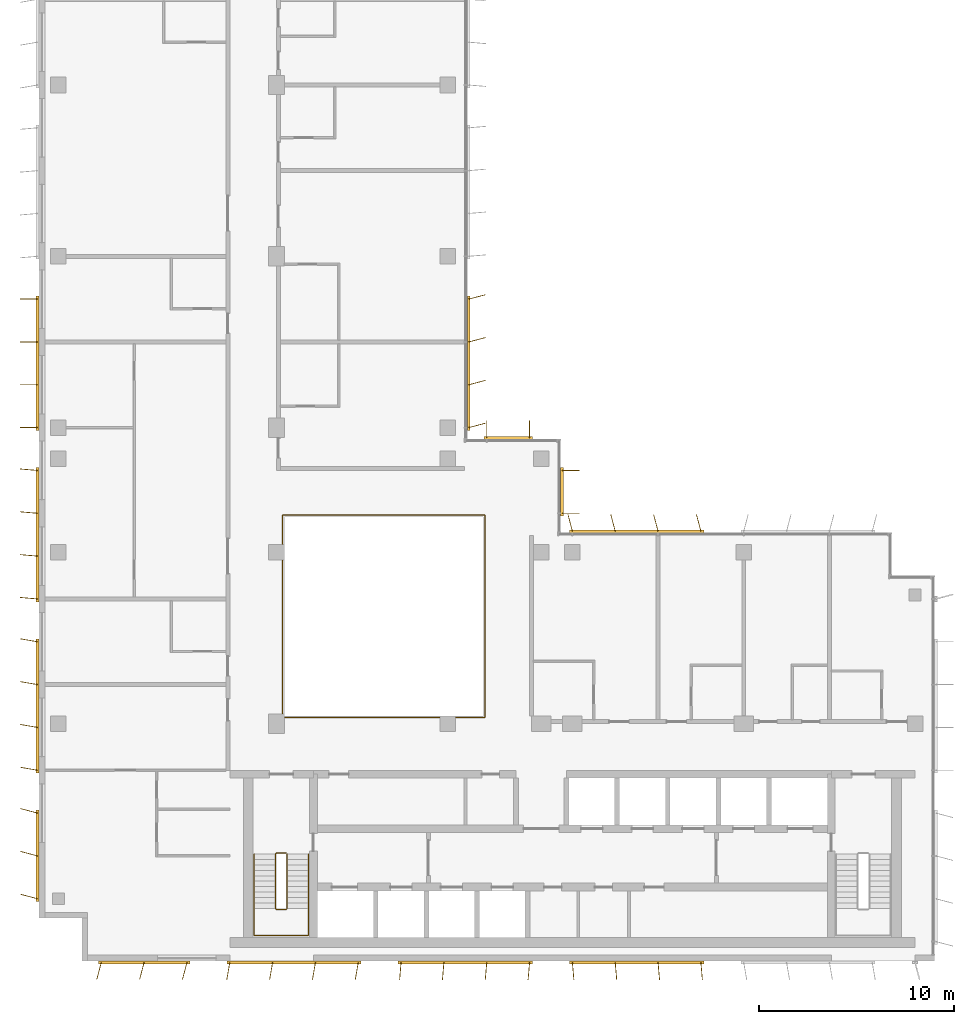
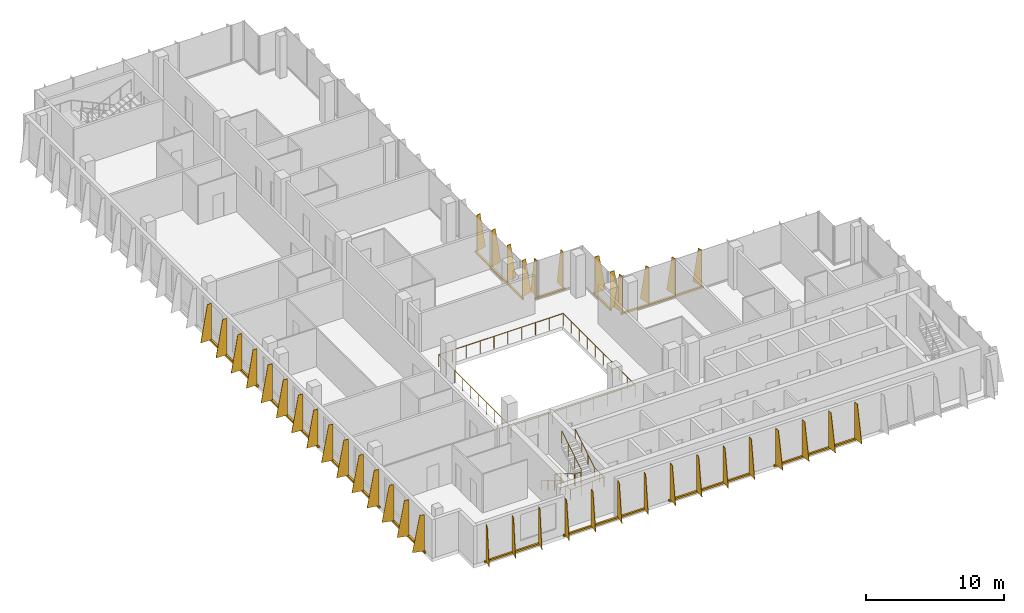
# One storey, part 13 of 15: 12 shading devices, 3 railings.
"""IFC4 building model written with IfcOpenShell, lengths in metres."""

from ifc_helpers import new_model, si_unit, direction, frame, origin, origin_2d, place, context, subcontext, project, spatial, polyline, rectangle, circle, outline, extrude, source, transform, mapped, material, layer, layer_set, type_object, element, save


model = new_model("IFC4")

# Units and contexts
model_context = context("Model", 3, precision=1e-05, world=origin(), true_north=direction((0.0, 1.0)))
body_context = subcontext(model_context, "Body", "Model", "MODEL_VIEW")
ifc_project = project(units=[si_unit("LENGTHUNIT", "METRE"), si_unit("AREAUNIT", "SQUARE_METRE"), si_unit("VOLUMEUNIT", "CUBIC_METRE"), si_unit("PLANEANGLEUNIT", "RADIAN"), si_unit("MASSUNIT", "GRAM", prefix="KILO")], contexts=[model_context])

# Site, building, storey
site_placement = place(None, origin())
site = spatial("IfcSite", under=ifc_project, at=site_placement, CompositionType="ELEMENT")
building_placement = place(site_placement, origin())
building = spatial("IfcBuilding", under=site, at=building_placement, Name="Kemantara Hotel Tower", CompositionType="ELEMENT")
storey_placement = place(building_placement, frame((0.0, 0.0, 275.89990234375)))
storey = spatial("IfcBuildingStorey", under=building, at=storey_placement, Name="L69", CompositionType="ELEMENT", Elevation=275.89990234375)

# Railings
ifc_material_1 = material(Name="Stainless steel and laminated glass balustrade", Category="steel")
railing_type_1 = type_object("IfcRailingType", Name="ATRIUM GUARD 1100", PredefinedType="GUARDRAIL", material=ifc_material_1)
railing_1_placement = place(storey_placement, frame((12.56005859375, 12.5, 0.0)))
element("IfcRailing", 1, at=railing_1_placement, inside=storey, type_object=railing_type_1, Name="ATRIUM GUARD L69", PredefinedType="GUARDRAIL", context=body_context, shape_type="SweptSolid", body=[
    extrude(circle(Radius=0.02490234375, at=origin_2d()), frame((0.0, 0.0, 1.0751953125), z_axis=(1.0, 0.0, 0.0), x_axis=(0.0, 1.0, 0.0)), (0.0, 0.0, 1.0), 10.33984375),
    extrude(circle(Radius=0.02490234375, at=origin_2d()), frame((10.33984375, 0.0, 1.0751953125), z_axis=(0.0, 1.0, 0.0), x_axis=(-1.0, 0.0, 0.0)), (0.0, 0.0, 1.0), 10.39990234375),
    extrude(circle(Radius=0.02490234375, at=origin_2d()), frame((10.33984375, 10.39990234375, 1.0751953125), z_axis=(-1.0, 0.0, 0.0), x_axis=(0.0, -1.0, 0.0)), (0.0, 0.0, 1.0), 10.39990234375),
    extrude(circle(Radius=0.02490234375, at=origin_2d()), frame((-0.06005859375, 10.39990234375, 1.0751953125), z_axis=(0.0, -1.0, 0.0), x_axis=(1.0, 0.0, 0.0)), (0.0, 0.0, 1.0), 10.39990234375),
    extrude(circle(Radius=0.02001953125, at=origin_2d()), origin(), (0.0, 0.0, 1.0), 1.050048828125),
    extrude(circle(Radius=0.02001953125, at=origin_2d()), frame((1.14892578125, 0.0, 0.0)), (0.0, 0.0, 1.0), 1.050048828125),
    extrude(circle(Radius=0.02001953125, at=origin_2d()), frame((2.2978515625, 0.0, 0.0)), (0.0, 0.0, 1.0), 1.050048828125),
    extrude(circle(Radius=0.02001953125, at=origin_2d()), frame((3.446533203125, 0.0, 0.0)), (0.0, 0.0, 1.0), 1.050048828125),
    extrude(circle(Radius=0.02001953125, at=origin_2d()), frame((4.595458984375, 0.0, 0.0)), (0.0, 0.0, 1.0), 1.050048828125),
    extrude(circle(Radius=0.02001953125, at=origin_2d()), frame((5.744384765625, 0.0, 0.0)), (0.0, 0.0, 1.0), 1.050048828125),
    extrude(circle(Radius=0.02001953125, at=origin_2d()), frame((6.893310546875, 0.0, 0.0)), (0.0, 0.0, 1.0), 1.050048828125),
    extrude(circle(Radius=0.02001953125, at=origin_2d()), frame((8.0419921875, 0.0, 0.0)), (0.0, 0.0, 1.0), 1.050048828125),
    extrude(circle(Radius=0.02001953125, at=origin_2d()), frame((9.19091796875, 0.0, 0.0)), (0.0, 0.0, 1.0), 1.050048828125),
    extrude(circle(Radius=0.02001953125, at=origin_2d()), frame((10.33984375, 0.0, 0.0)), (0.0, 0.0, 1.0), 1.050048828125),
    extrude(circle(Radius=0.02001953125, at=origin_2d()), frame((10.33984375, 1.155517578125, 0.0)), (0.0, 0.0, 1.0), 1.050048828125),
    extrude(circle(Radius=0.02001953125, at=origin_2d()), frame((10.33984375, 2.31103515625, 0.0)), (0.0, 0.0, 1.0), 1.050048828125),
    extrude(circle(Radius=0.02001953125, at=origin_2d()), frame((10.33984375, 3.466552734375, 0.0)), (0.0, 0.0, 1.0), 1.050048828125),
    extrude(circle(Radius=0.02001953125, at=origin_2d()), frame((10.33984375, 4.6220703125, 0.0)), (0.0, 0.0, 1.0), 1.050048828125),
    extrude(circle(Radius=0.02001953125, at=origin_2d()), frame((10.33984375, 5.77783203125, 0.0)), (0.0, 0.0, 1.0), 1.050048828125),
    extrude(circle(Radius=0.02001953125, at=origin_2d()), frame((10.33984375, 6.933349609375, 0.0)), (0.0, 0.0, 1.0), 1.050048828125),
    extrude(circle(Radius=0.02001953125, at=origin_2d()), frame((10.33984375, 8.0888671875, 0.0)), (0.0, 0.0, 1.0), 1.050048828125),
    extrude(circle(Radius=0.02001953125, at=origin_2d()), frame((10.33984375, 9.244384765625, 0.0)), (0.0, 0.0, 1.0), 1.050048828125),
    extrude(circle(Radius=0.02001953125, at=origin_2d()), frame((10.33984375, 10.39990234375, 0.0)), (0.0, 0.0, 1.0), 1.050048828125),
    extrude(circle(Radius=0.02001953125, at=origin_2d()), frame((9.184326171875, 10.39990234375, 0.0)), (0.0, 0.0, 1.0), 1.050048828125),
    extrude(circle(Radius=0.02001953125, at=origin_2d()), frame((8.02880859375, 10.39990234375, 0.0)), (0.0, 0.0, 1.0), 1.050048828125),
    extrude(circle(Radius=0.02001953125, at=origin_2d()), frame((6.873291015625, 10.39990234375, 0.0)), (0.0, 0.0, 1.0), 1.050048828125),
    extrude(circle(Radius=0.02001953125, at=origin_2d()), frame((5.7177734375, 10.39990234375, 0.0)), (0.0, 0.0, 1.0), 1.050048828125),
    extrude(circle(Radius=0.02001953125, at=origin_2d()), frame((4.56201171875, 10.39990234375, 0.0)), (0.0, 0.0, 1.0), 1.050048828125),
    extrude(circle(Radius=0.02001953125, at=origin_2d()), frame((3.406494140625, 10.39990234375, 0.0)), (0.0, 0.0, 1.0), 1.050048828125),
    extrude(circle(Radius=0.02001953125, at=origin_2d()), frame((2.2509765625, 10.39990234375, 0.0)), (0.0, 0.0, 1.0), 1.050048828125),
    extrude(circle(Radius=0.02001953125, at=origin_2d()), frame((1.095458984375, 10.39990234375, 0.0)), (0.0, 0.0, 1.0), 1.050048828125),
    extrude(circle(Radius=0.02001953125, at=origin_2d()), frame((-0.06005859375, 10.39990234375, 0.0)), (0.0, 0.0, 1.0), 1.050048828125),
    extrude(circle(Radius=0.02001953125, at=origin_2d()), frame((-0.06005859375, 9.244384765625, 0.0)), (0.0, 0.0, 1.0), 1.050048828125),
    extrude(circle(Radius=0.02001953125, at=origin_2d()), frame((-0.06005859375, 8.0888671875, 0.0)), (0.0, 0.0, 1.0), 1.050048828125),
    extrude(circle(Radius=0.02001953125, at=origin_2d()), frame((-0.06005859375, 6.933349609375, 0.0)), (0.0, 0.0, 1.0), 1.050048828125),
    extrude(circle(Radius=0.02001953125, at=origin_2d()), frame((-0.06005859375, 5.77783203125, 0.0)), (0.0, 0.0, 1.0), 1.050048828125),
    extrude(circle(Radius=0.02001953125, at=origin_2d()), frame((-0.06005859375, 4.6220703125, 0.0)), (0.0, 0.0, 1.0), 1.050048828125),
    extrude(circle(Radius=0.02001953125, at=origin_2d()), frame((-0.06005859375, 3.466552734375, 0.0)), (0.0, 0.0, 1.0), 1.050048828125),
    extrude(circle(Radius=0.02001953125, at=origin_2d()), frame((-0.06005859375, 2.31103515625, 0.0)), (0.0, 0.0, 1.0), 1.050048828125),
    extrude(circle(Radius=0.02001953125, at=origin_2d()), frame((-0.06005859375, 1.155517578125, 0.0)), (0.0, 0.0, 1.0), 1.050048828125),
    extrude(circle(Radius=0.02001953125, at=origin_2d()), frame((-0.06005859375, 0.0, 0.0)), (0.0, 0.0, 1.0), 1.050048828125),
])
ifc_material_2 = material(Name="Stainless steel balustrade", Category="steel")
railing_type_2 = type_object("IfcRailingType", Name="Stair guard 1100 mm", PredefinedType="GUARDRAIL", material=ifc_material_2)
railing_2_placement = place(storey_placement, frame((12.75, 5.5, 3.7001953125)))
element("IfcRailing", 2, at=railing_2_placement, inside=storey, type_object=railing_type_2, Name="L69 ST1 stair guard 1", PredefinedType="GUARDRAIL", context=body_context, shape_type="SweptSolid", body=[
    extrude(circle(Radius=0.02392578125, at=origin_2d()), frame((0.0, 0.0, 1.076171875), z_axis=(0.0, -0.857242210791, -0.514913383045), x_axis=(1.0, 0.0, 0.0)), (0.0, 0.0, 1.0), 3.266357421875),
    extrude(circle(Radius=0.02392578125, at=origin_2d()), frame((0.0, -2.800048828125, -0.60595703125), z_axis=(-0.274243871929, -0.274243871929, -0.92172696468), x_axis=(0.707106781187, -0.707106781187, 0.0)), (0.0, 0.0, 1.0), 0.1826171875),
    extrude(circle(Radius=0.02392578125, at=origin_2d()), frame((-0.050048828125, -2.85009765625, -0.77392578125), z_axis=(-1.0, 0.0, 0.0), x_axis=(0.0, -1.0, 0.0)), (0.0, 0.0, 1.0), 0.5),
    extrude(circle(Radius=0.02392578125, at=origin_2d()), frame((-0.550048828125, -2.85009765625, -0.77392578125), z_axis=(-0.707106781187, 0.707106781187, 0.0), x_axis=(-0.707106781187, -0.707106781187, 0.0)), (0.0, 0.0, 1.0), 0.07080078125),
    extrude(circle(Radius=0.02392578125, at=origin_2d()), frame((-0.60009765625, -2.800048828125, -0.77392578125), z_axis=(0.0, 0.857242210791, -0.514913383045), x_axis=(-1.0, 0.0, 0.0)), (0.0, 0.0, 1.0), 3.266357421875),
    extrude(circle(Radius=0.02392578125, at=origin_2d()), frame((-0.60009765625, 0.0, -2.4560546875), z_axis=(0.274243871929, 0.274243871929, -0.92172696468), x_axis=(-0.707106781187, 0.707106781187, 0.0)), (0.0, 0.0, 1.0), 0.1826171875),
    extrude(circle(Radius=0.02392578125, at=origin_2d()), frame((-0.550048828125, 0.050048828125, -2.6240234375), z_axis=(1.0, 0.0, 0.0), x_axis=(0.0, 1.0, 0.0)), (0.0, 0.0, 1.0), 0.5),
    extrude(circle(Radius=0.02099609375, at=origin_2d()), origin(), (0.0, 0.0, 1.0), 1.052001953125),
    extrude(circle(Radius=0.02099609375, at=origin_2d()), frame((0.0, -0.933349609375, -0.560546875)), (0.0, 0.0, 1.0), 1.052001953125),
    extrude(circle(Radius=0.02099609375, at=origin_2d()), frame((0.0, -1.86669921875, -1.121337890625)), (0.0, 0.0, 1.0), 1.052001953125),
    extrude(circle(Radius=0.02099609375, at=origin_2d()), frame((0.0, -2.800048828125, -1.681884765625)), (0.0, 0.0, 1.0), 1.052001953125),
    extrude(circle(Radius=0.02099609375, at=origin_2d()), frame((-0.050048828125, -2.85009765625, -1.85009765625)), (0.0, 0.0, 1.0), 1.052001953125),
    extrude(circle(Radius=0.02099609375, at=origin_2d()), frame((-0.550048828125, -2.85009765625, -1.85009765625)), (0.0, 0.0, 1.0), 1.052001953125),
    extrude(circle(Radius=0.02099609375, at=origin_2d()), frame((-0.60009765625, -2.800048828125, -1.85009765625)), (0.0, 0.0, 1.0), 1.052001953125),
    extrude(circle(Radius=0.02099609375, at=origin_2d()), frame((-0.60009765625, -1.86669921875, -2.41064453125)), (0.0, 0.0, 1.0), 1.052001953125),
    extrude(circle(Radius=0.02099609375, at=origin_2d()), frame((-0.60009765625, -0.933349609375, -2.971435546875)), (0.0, 0.0, 1.0), 1.052001953125),
    extrude(circle(Radius=0.02099609375, at=origin_2d()), frame((-0.60009765625, 0.0, -3.531982421875)), (0.0, 0.0, 1.0), 1.052001953125),
    extrude(circle(Radius=0.02099609375, at=origin_2d()), frame((-0.550048828125, 0.050048828125, -3.7001953125)), (0.0, 0.0, 1.0), 1.052001953125),
    extrude(circle(Radius=0.02099609375, at=origin_2d()), frame((-0.050048828125, 0.050048828125, -3.7001953125)), (0.0, 0.0, 1.0), 1.052001953125),
])
railing_type_3 = type_object("IfcRailingType", Name="Stair handrail 900 mm", PredefinedType="HANDRAIL", material=ifc_material_2)
railing_3_placement = place(storey_placement, frame((11.050048828125, 5.5, 0.168212890625)))
element("IfcRailing", 3, at=railing_3_placement, inside=storey, type_object=railing_type_3, Name="L69 ST1 stair handrail 1", PredefinedType="HANDRAIL", context=body_context, shape_type="SweptSolid", body=[
    extrude(circle(Radius=0.02392578125, at=origin_2d()), frame((0.0, 0.0, 0.8759765625), z_axis=(0.0, -0.857242210791, 0.514913383045), x_axis=(1.0, 0.0, 0.0)), (0.0, 0.0, 1.0), 3.266357421875),
    extrude(circle(Radius=0.02392578125, at=origin_2d()), frame((0.0, -2.800048828125, 2.5576171875), z_axis=(0.0, -1.0, 0.0), x_axis=(1.0, 0.0, 0.0)), (0.0, 0.0, 1.0), 1.3798828125),
    extrude(circle(Radius=0.02392578125, at=origin_2d()), frame((0.0, -4.179931640625, 2.5576171875), z_axis=(0.998200367801, 0.0, 0.059966871865), x_axis=(0.0, 1.0, 0.0)), (0.0, 0.0, 1.0), 2.80517578125),
    extrude(circle(Radius=0.02392578125, at=origin_2d()), frame((2.800048828125, -4.179931640625, 2.72607421875), z_axis=(0.0, 1.0, 0.0), x_axis=(-1.0, 0.0, 0.0)), (0.0, 0.0, 1.0), 1.3798828125),
    extrude(circle(Radius=0.02392578125, at=origin_2d()), frame((2.800048828125, -2.800048828125, 2.72607421875), z_axis=(0.0, 0.857242210791, 0.514913383045), x_axis=(-1.0, 0.0, 0.0)), (0.0, 0.0, 1.0), 3.266357421875),
    extrude(circle(Radius=0.02099609375, at=origin_2d()), origin(), (0.0, 0.0, 1.0), 0.851806640625),
    extrude(circle(Radius=0.02099609375, at=origin_2d()), frame((0.0, -0.933349609375, 0.560546875)), (0.0, 0.0, 1.0), 0.851806640625),
    extrude(circle(Radius=0.02099609375, at=origin_2d()), frame((0.0, -1.86669921875, 1.121337890625)), (0.0, 0.0, 1.0), 0.851806640625),
    extrude(circle(Radius=0.02099609375, at=origin_2d()), frame((0.0, -2.800048828125, 1.681884765625)), (0.0, 0.0, 1.0), 0.851806640625),
    extrude(circle(Radius=0.02099609375, at=origin_2d()), frame((0.0, -3.489990234375, 1.681884765625)), (0.0, 0.0, 1.0), 0.851806640625),
    extrude(circle(Radius=0.02099609375, at=origin_2d()), frame((0.0, -4.179931640625, 1.681884765625)), (0.0, 0.0, 1.0), 0.851806640625),
    extrude(circle(Radius=0.02099609375, at=origin_2d()), frame((0.933349609375, -4.179931640625, 1.738037109375)), (0.0, 0.0, 1.0), 0.851806640625),
    extrude(circle(Radius=0.02099609375, at=origin_2d()), frame((1.86669921875, -4.179931640625, 1.7939453125)), (0.0, 0.0, 1.0), 0.851806640625),
    extrude(circle(Radius=0.02099609375, at=origin_2d()), frame((2.800048828125, -4.179931640625, 1.85009765625)), (0.0, 0.0, 1.0), 0.851806640625),
    extrude(circle(Radius=0.02099609375, at=origin_2d()), frame((2.800048828125, -3.489990234375, 1.85009765625)), (0.0, 0.0, 1.0), 0.851806640625),
    extrude(circle(Radius=0.02099609375, at=origin_2d()), frame((2.800048828125, -2.800048828125, 1.85009765625)), (0.0, 0.0, 1.0), 0.851806640625),
    extrude(circle(Radius=0.02099609375, at=origin_2d()), frame((2.800048828125, -1.86669921875, 2.41064453125)), (0.0, 0.0, 1.0), 0.851806640625),
    extrude(circle(Radius=0.02099609375, at=origin_2d()), frame((2.800048828125, -0.933349609375, 2.971435546875)), (0.0, 0.0, 1.0), 0.851806640625),
    extrude(circle(Radius=0.02099609375, at=origin_2d()), frame((2.800048828125, 0.0, 3.531982421875)), (0.0, 0.0, 1.0), 0.851806640625),
])

# Shading devices
ifc_material_3 = material(Name="Perforated aluminium plate 4 mm bronze anodised", Category="aluminium")
ifc_layer_1 = layer(ifc_material_3, 0.0400390625)
ifc_layer_set_1 = layer_set([ifc_layer_1], Name="Perforated aluminium plate 4 mm bronze anodised")
shading_device_type_1 = type_object("IfcShadingDeviceType", Name="SCREEN FIN CASSETTE, 3 BLADES AT -15.0 DEG, 3200 HIGH", PredefinedType="USERDEFINED", material=ifc_layer_set_1)
shared_shape_1 = source(origin(), body_context, "Body", "SweptSolid", [
    extrude(rectangle(XDim=4.699951171875, YDim=0.14990234375, at=origin_2d()), frame((2.199951171875, -0.074951171875, -0.14990234375), z_axis=(0.0, 0.0, 1.0), x_axis=(1.0, 0.0, 0.0)), (0.0, 0.0, 1.0), 0.14990234375),
    extrude(outline(polyline([(0.0, 0.0), (0.89990234375, 0.0), (0.35009765625, 3.199951171875), (0.0, 3.199951171875), (0.0, 0.0)])), frame((0.019287109375, -0.080078125, 0.0), z_axis=(-0.966437683387, 0.256901156343, 0.0), x_axis=(-0.256901156343, -0.966437683387, 0.0)), (0.0, 0.0, 1.0), 0.039794921875),
    extrude(outline(polyline([(0.0, 0.0), (0.89990234375, 0.0), (0.35009765625, 3.199951171875), (0.0, 3.199951171875), (0.0, 0.0)])), frame((2.21923828125, -0.080078125, 0.0), z_axis=(-0.966437683387, 0.256901156343, 0.0), x_axis=(-0.256901156343, -0.966437683387, 0.0)), (0.0, 0.0, 1.0), 0.039794921875),
    extrude(outline(polyline([(0.0, 0.0), (0.89990234375, 0.0), (0.35009765625, 3.199951171875), (0.0, 3.199951171875), (0.0, 0.0)])), frame((4.41943359375, -0.080078125, 0.0), z_axis=(-0.966837822169, 0.255391122837, 0.0), x_axis=(-0.255391122837, -0.966837822169, 0.0)), (0.0, 0.0, 1.0), 0.0400390625),
])
for number, where, z_axis, x_axis, name in (
    (4, (0.0, 7.60009765625, 0.10009765625), (0.0, 0.0, 1.0), (0.0, -1.0, 0.0), "SCREEN FIN CASSETTE L69 T4-R05-7"),
    (5, (3.199951171875, 0.0, 0.10009765625), (0.0, 0.0, 1.0), (1.0, 0.0, 0.0), "SCREEN FIN CASSETTE L69 T4-R08-1"),
):
    element("IfcShadingDevice", number, at=place(storey_placement, frame(where, z_axis=z_axis, x_axis=x_axis)), inside=storey, type_object=shading_device_type_1, Name=name, ObjectType="SCREEN FIN", PredefinedType="USERDEFINED", context=body_context, shape_type="MappedRepresentation", body=[
        mapped(shared_shape_1, transform((0.0, 0.0, 0.0))),
    ])
ifc_layer_2 = layer(ifc_material_3, 0.0400390625)
ifc_layer_set_2 = layer_set([ifc_layer_2], Name="Perforated aluminium plate 4 mm bronze anodised")
shading_device_type_2 = type_object("IfcShadingDeviceType", Name="SCREEN FIN CASSETTE, 4 BLADES AT -10.0 DEG, 3200 HIGH", PredefinedType="USERDEFINED", material=ifc_layer_set_2)
shared_shape_2 = source(origin(), body_context, "Body", "SweptSolid", [
    extrude(rectangle(XDim=6.89990234375, YDim=0.14990234375, at=origin_2d()), frame((3.300048828125, -0.074951171875, -0.14990234375), z_axis=(0.0, 0.0, 1.0), x_axis=(1.0, 0.0, 0.0)), (0.0, 0.0, 1.0), 0.14990234375),
    extrude(outline(polyline([(0.0, 0.0), (0.89990234375, 0.0), (0.35009765625, 3.199951171875), (0.0, 3.199951171875), (0.0, 0.0)])), frame((0.019775390625, -0.078369140625, 0.0), z_axis=(-0.985389793052, 0.170314285219, 0.0), x_axis=(-0.170314285219, -0.985389793052, 0.0)), (0.0, 0.0, 1.0), 0.0400390625),
    extrude(outline(polyline([(0.0, 0.0), (0.89990234375, 0.0), (0.35009765625, 3.199951171875), (0.0, 3.199951171875), (0.0, 0.0)])), frame((2.2197265625, -0.078369140625, 0.0), z_axis=(-0.98521175482, 0.171341174751, 0.0), x_axis=(-0.171341174751, -0.98521175482, 0.0)), (0.0, 0.0, 1.0), 0.039794921875),
    extrude(outline(polyline([(0.0, 0.0), (0.89990234375, 0.0), (0.35009765625, 3.199951171875), (0.0, 3.199951171875), (0.0, 0.0)])), frame((4.419677734375, -0.078369140625, 0.0), z_axis=(-0.98521175482, 0.171341174751, 0.0), x_axis=(-0.171341174751, -0.98521175482, 0.0)), (0.0, 0.0, 1.0), 0.039794921875),
    extrude(outline(polyline([(0.0, 0.0), (0.89990234375, 0.0), (0.35009765625, 3.199951171875), (0.0, 3.199951171875), (0.0, 0.0)])), frame((6.61962890625, -0.078369140625, 0.0), z_axis=(-0.98521175482, 0.171341174751, 0.0), x_axis=(-0.171341174751, -0.98521175482, 0.0)), (0.0, 0.0, 1.0), 0.039794921875),
])
for number, where, z_axis, x_axis, name in (
    (6, (0.0, 16.39990234375, 0.10009765625), (0.0, 0.0, 1.0), (0.0, -1.0, 0.0), "SCREEN FIN CASSETTE L69 T4-R05-6"),
    (7, (9.800048828125, 0.0, 0.10009765625), (0.0, 0.0, 1.0), (1.0, 0.0, 0.0), "SCREEN FIN CASSETTE L69 T4-R08-2"),
):
    element("IfcShadingDevice", number, at=place(storey_placement, frame(where, z_axis=z_axis, x_axis=x_axis)), inside=storey, type_object=shading_device_type_2, Name=name, ObjectType="SCREEN FIN", PredefinedType="USERDEFINED", context=body_context, shape_type="MappedRepresentation", body=[
        mapped(shared_shape_2, transform((0.0, 0.0, 0.0))),
    ])
ifc_layer_3 = layer(ifc_material_3, 0.0400390625)
ifc_layer_set_3 = layer_set([ifc_layer_3], Name="Perforated aluminium plate 4 mm bronze anodised")
shading_device_type_3 = type_object("IfcShadingDeviceType", Name="SCREEN FIN CASSETTE, 4 BLADES AT -5.0 DEG, 3200 HIGH", PredefinedType="USERDEFINED", material=ifc_layer_set_3)
shared_shape_3 = source(origin(), body_context, "Body", "SweptSolid", [
    extrude(rectangle(XDim=6.89990234375, YDim=0.14990234375, at=origin_2d()), frame((3.300048828125, -0.074951171875, -0.14990234375), z_axis=(0.0, 0.0, 1.0), x_axis=(1.0, 0.0, 0.0)), (0.0, 0.0, 1.0), 0.14990234375),
    extrude(outline(polyline([(0.0, 0.0), (0.89990234375, 0.0), (0.35009765625, 3.199951171875), (0.0, 3.199951171875), (0.0, 0.0)])), frame((0.02001953125, -0.07666015625, 0.0), z_axis=(-0.996376129781, 0.085056498884, 0.0), x_axis=(-0.085056498884, -0.996376129781, 0.0)), (0.0, 0.0, 1.0), 0.040283203125),
    extrude(outline(polyline([(0.0, 0.0), (0.89990234375, 0.0), (0.35009765625, 3.199951171875), (0.0, 3.199951171875), (0.0, 0.0)])), frame((2.219970703125, -0.07666015625, 0.0), z_axis=(-0.996331773833, 0.085574508182, 0.0), x_axis=(-0.085574508182, -0.996331773833, 0.0)), (0.0, 0.0, 1.0), 0.0400390625),
    extrude(outline(polyline([(0.0, 0.0), (0.89990234375, 0.0), (0.35009765625, 3.199951171875), (0.0, 3.199951171875), (0.0, 0.0)])), frame((4.419921875, -0.07666015625, 0.0), z_axis=(-0.996331773833, 0.085574508182, 0.0), x_axis=(-0.085574508182, -0.996331773833, 0.0)), (0.0, 0.0, 1.0), 0.0400390625),
    extrude(outline(polyline([(0.0, 0.0), (0.89990234375, 0.0), (0.35009765625, 3.199951171875), (0.0, 3.199951171875), (0.0, 0.0)])), frame((6.619873046875, -0.07666015625, 0.0), z_axis=(-0.996331773833, 0.085574508182, 0.0), x_axis=(-0.085574508182, -0.996331773833, 0.0)), (0.0, 0.0, 1.0), 0.0400390625),
])
for number, where, z_axis, x_axis, name in (
    (8, (0.0, 25.199951171875, 0.10009765625), (0.0, 0.0, 1.0), (0.0, -1.0, 0.0), "SCREEN FIN CASSETTE L69 T4-R05-5"),
    (9, (18.60009765625, 0.0, 0.10009765625), (0.0, 0.0, 1.0), (1.0, 0.0, 0.0), "SCREEN FIN CASSETTE L69 T4-R08-3"),
):
    element("IfcShadingDevice", number, at=place(storey_placement, frame(where, z_axis=z_axis, x_axis=x_axis)), inside=storey, type_object=shading_device_type_3, Name=name, ObjectType="SCREEN FIN", PredefinedType="USERDEFINED", context=body_context, shape_type="MappedRepresentation", body=[
        mapped(shared_shape_3, transform((0.0, 0.0, 0.0))),
    ])
ifc_layer_4 = layer(ifc_material_3, 0.0400390625)
ifc_layer_set_4 = layer_set([ifc_layer_4], Name="Perforated aluminium plate 4 mm bronze anodised")
shading_device_type_4 = type_object("IfcShadingDeviceType", Name="SCREEN FIN CASSETTE, 4 BLADES AT +0.0 DEG, 3200 HIGH", PredefinedType="USERDEFINED", material=ifc_layer_set_4)
shared_shape_4 = source(origin(), body_context, "Body", "SweptSolid", [
    extrude(rectangle(XDim=6.89990234375, YDim=0.14990234375, at=origin_2d()), frame((3.300048828125, -0.074951171875, -0.14990234375), z_axis=(0.0, 0.0, 1.0), x_axis=(1.0, 0.0, 0.0)), (0.0, 0.0, 1.0), 0.14990234375),
    extrude(outline(polyline([(0.0, 0.0), (0.89990234375, 0.0), (0.35009765625, 3.199951171875), (0.0, 3.199951171875), (0.0, 0.0)])), frame((0.02001953125, -0.074951171875, 0.0), z_axis=(-1.0, 0.0, 0.0), x_axis=(0.0, -1.0, 0.0)), (0.0, 0.0, 1.0), 0.0400390625),
    extrude(outline(polyline([(0.0, 0.0), (0.89990234375, 0.0), (0.35009765625, 3.199951171875), (0.0, 3.199951171875), (0.0, 0.0)])), frame((2.219970703125, -0.074951171875, 0.0), z_axis=(-1.0, 0.0, 0.0), x_axis=(0.0, -1.0, 0.0)), (0.0, 0.0, 1.0), 0.0400390625),
    extrude(outline(polyline([(0.0, 0.0), (0.89990234375, 0.0), (0.35009765625, 3.199951171875), (0.0, 3.199951171875), (0.0, 0.0)])), frame((4.419921875, -0.074951171875, 0.0), z_axis=(-1.0, 0.0, 0.0), x_axis=(0.0, -1.0, 0.0)), (0.0, 0.0, 1.0), 0.0400390625),
    extrude(outline(polyline([(0.0, 0.0), (0.89990234375, 0.0), (0.35009765625, 3.199951171875), (0.0, 3.199951171875), (0.0, 0.0)])), frame((6.6201171875, -0.074951171875, 0.0), z_axis=(-1.0, 0.0, 0.0), x_axis=(0.0, -1.0, 0.0)), (0.0, 0.0, 1.0), 0.0400390625),
])
shading_device_1_placement = place(storey_placement, frame((0.0, 34.0, 0.10009765625), z_axis=(0.0, 0.0, 1.0), x_axis=(0.0, -1.0, 0.0)))
element("IfcShadingDevice", 10, at=shading_device_1_placement, inside=storey, type_object=shading_device_type_4, Name="SCREEN FIN CASSETTE L69 T4-R05-4", ObjectType="SCREEN FIN", PredefinedType="USERDEFINED", context=body_context, shape_type="MappedRepresentation", body=[
    mapped(shared_shape_4, transform((0.0, 0.0, 0.0))),
])
ifc_layer_5 = layer(ifc_material_3, 0.0400390625)
ifc_layer_set_5 = layer_set([ifc_layer_5], Name="Perforated aluminium plate 4 mm bronze anodised")
shading_device_type_5 = type_object("IfcShadingDeviceType", Name="SCREEN FIN CASSETTE, 4 BLADES AT +5.0 DEG, 3200 HIGH", PredefinedType="USERDEFINED", material=ifc_layer_set_5)
shared_shape_5 = source(origin(), body_context, "Body", "SweptSolid", [
    extrude(rectangle(XDim=6.89990234375, YDim=0.14990234375, at=origin_2d()), frame((3.300048828125, -0.074951171875, -0.14990234375), z_axis=(0.0, 0.0, 1.0), x_axis=(1.0, 0.0, 0.0)), (0.0, 0.0, 1.0), 0.14990234375),
    extrude(outline(polyline([(0.0, 0.0), (0.89990234375, 0.0), (0.35009765625, 3.199951171875), (0.0, 3.199951171875), (0.0, 0.0)])), frame((0.02001953125, -0.0732421875, 0.0), z_axis=(-0.996376129781, -0.085056498884, 0.0), x_axis=(0.085056498884, -0.996376129781, 0.0)), (0.0, 0.0, 1.0), 0.040283203125),
    extrude(outline(polyline([(0.0, 0.0), (0.89990234375, 0.0), (0.35009765625, 3.199951171875), (0.0, 3.199951171875), (0.0, 0.0)])), frame((2.219970703125, -0.0732421875, 0.0), z_axis=(-0.996331773833, -0.085574508182, 0.0), x_axis=(0.085574508182, -0.996331773833, 0.0)), (0.0, 0.0, 1.0), 0.0400390625),
    extrude(outline(polyline([(0.0, 0.0), (0.89990234375, 0.0), (0.35009765625, 3.199951171875), (0.0, 3.199951171875), (0.0, 0.0)])), frame((4.419921875, -0.0732421875, 0.0), z_axis=(-0.996331773833, -0.085574508182, 0.0), x_axis=(0.085574508182, -0.996331773833, 0.0)), (0.0, 0.0, 1.0), 0.0400390625),
    extrude(outline(polyline([(0.0, 0.0), (0.89990234375, 0.0), (0.35009765625, 3.199951171875), (0.0, 3.199951171875), (0.0, 0.0)])), frame((6.619873046875, -0.0732421875, 0.0), z_axis=(-0.996331773833, -0.085574508182, 0.0), x_axis=(0.085574508182, -0.996331773833, 0.0)), (0.0, 0.0, 1.0), 0.0400390625),
])
shading_device_2_placement = place(storey_placement, frame((27.39990234375, 0.0, 0.10009765625), z_axis=(0.0, 0.0, 1.0), x_axis=(1.0, 0.0, 0.0)))
element("IfcShadingDevice", 11, at=shading_device_2_placement, inside=storey, type_object=shading_device_type_5, Name="SCREEN FIN CASSETTE L69 T4-R08-4", ObjectType="SCREEN FIN", PredefinedType="USERDEFINED", context=body_context, shape_type="MappedRepresentation", body=[
    mapped(shared_shape_5, transform((0.0, 0.0, 0.0))),
])
ifc_layer_6 = layer(ifc_material_3, 0.0400390625)
ifc_layer_set_6 = layer_set([ifc_layer_6], Name="Perforated aluminium plate 4 mm bronze anodised")
shading_device_type_6 = type_object("IfcShadingDeviceType", Name="SCREEN FIN CASSETTE, 4 BLADES AT +15.0 DEG, 3200 HIGH", PredefinedType="USERDEFINED", material=ifc_layer_set_6)
shared_shape_6 = source(origin(), body_context, "Body", "SweptSolid", [
    extrude(rectangle(XDim=6.89990234375, YDim=0.14990234375, at=origin_2d()), frame((3.300048828125, -0.074951171875, -0.14990234375), z_axis=(0.0, 0.0, 1.0), x_axis=(1.0, 0.0, 0.0)), (0.0, 0.0, 1.0), 0.14990234375),
    extrude(outline(polyline([(0.0, 0.0), (0.89990234375, 0.0), (0.35009765625, 3.199951171875), (0.0, 3.199951171875), (0.0, 0.0)])), frame((0.019287109375, -0.06982421875, 0.0), z_axis=(-0.966437683387, -0.256901156343, 0.0), x_axis=(0.256901156343, -0.966437683387, 0.0)), (0.0, 0.0, 1.0), 0.039794921875),
    extrude(outline(polyline([(0.0, 0.0), (0.89990234375, 0.0), (0.35009765625, 3.199951171875), (0.0, 3.199951171875), (0.0, 0.0)])), frame((2.21923828125, -0.06982421875, 0.0), z_axis=(-0.966437683387, -0.256901156343, 0.0), x_axis=(0.256901156343, -0.966437683387, 0.0)), (0.0, 0.0, 1.0), 0.039794921875),
    extrude(outline(polyline([(0.0, 0.0), (0.89990234375, 0.0), (0.35009765625, 3.199951171875), (0.0, 3.199951171875), (0.0, 0.0)])), frame((4.41943359375, -0.06982421875, 0.0), z_axis=(-0.966837822169, -0.255391122837, 0.0), x_axis=(0.255391122837, -0.966837822169, 0.0)), (0.0, 0.0, 1.0), 0.0400390625),
    extrude(outline(polyline([(0.0, 0.0), (0.89990234375, 0.0), (0.35009765625, 3.199951171875), (0.0, 3.199951171875), (0.0, 0.0)])), frame((6.619384765625, -0.06982421875, 0.0), z_axis=(-0.966837822169, -0.255391122837, 0.0), x_axis=(0.255391122837, -0.966837822169, 0.0)), (0.0, 0.0, 1.0), 0.0400390625),
])
for number, where, z_axis, x_axis, name in (
    (12, (34.0, 22.0, 0.10009765625), (0.0, 0.0, 1.0), (-1.0, 0.0, 0.0), "SCREEN FIN CASSETTE L69 T4-R12-2"),
    (13, (22.0, 27.39990234375, 0.10009765625), (0.0, 0.0, 1.0), (0.0, 1.0, 0.0), "SCREEN FIN CASSETTE L69 T4-R15-1"),
):
    element("IfcShadingDevice", number, at=place(storey_placement, frame(where, z_axis=z_axis, x_axis=x_axis)), inside=storey, type_object=shading_device_type_6, Name=name, ObjectType="SCREEN FIN", PredefinedType="USERDEFINED", context=body_context, shape_type="MappedRepresentation", body=[
        mapped(shared_shape_6, transform((0.0, 0.0, 0.0))),
    ])
ifc_layer_7 = layer(ifc_material_3, 0.0400390625)
ifc_layer_set_7 = layer_set([ifc_layer_7], Name="Perforated aluminium plate 4 mm bronze anodised")
shading_device_type_7 = type_object("IfcShadingDeviceType", Name="SCREEN FIN CASSETTE, 2 BLADES AT +0.0 DEG, 3200 HIGH", PredefinedType="USERDEFINED", material=ifc_layer_set_7)
shared_shape_7 = source(origin(), body_context, "Body", "SweptSolid", [
    extrude(rectangle(XDim=2.5, YDim=0.14990234375, at=origin_2d()), frame((1.10009765625, -0.074951171875, -0.14990234375), z_axis=(0.0, 0.0, 1.0), x_axis=(1.0, 0.0, 0.0)), (0.0, 0.0, 1.0), 0.14990234375),
    extrude(outline(polyline([(0.0, 0.0), (0.89990234375, 0.0), (0.35009765625, 3.199951171875), (0.0, 3.199951171875), (0.0, 0.0)])), frame((0.02001953125, -0.074951171875, 0.0), z_axis=(-1.0, 0.0, 0.0), x_axis=(0.0, -1.0, 0.0)), (0.0, 0.0, 1.0), 0.0400390625),
    extrude(outline(polyline([(0.0, 0.0), (0.89990234375, 0.0), (0.35009765625, 3.199951171875), (0.0, 3.199951171875), (0.0, 0.0)])), frame((2.219970703125, -0.074951171875, 0.0), z_axis=(-1.0, 0.0, 0.0), x_axis=(0.0, -1.0, 0.0)), (0.0, 0.0, 1.0), 0.0400390625),
])
for number, where, z_axis, x_axis, name in (
    (14, (26.800048828125, 23.0, 0.10009765625), (0.0, 0.0, 1.0), (0.0, 1.0, 0.0), "SCREEN FIN CASSETTE L69 T4-R13-1"),
    (15, (25.199951171875, 26.800048828125, 0.10009765625), (0.0, 0.0, 1.0), (-1.0, 0.0, 0.0), "SCREEN FIN CASSETTE L69 T4-R14-1"),
):
    element("IfcShadingDevice", number, at=place(storey_placement, frame(where, z_axis=z_axis, x_axis=x_axis)), inside=storey, type_object=shading_device_type_7, Name=name, ObjectType="SCREEN FIN", PredefinedType="USERDEFINED", context=body_context, shape_type="MappedRepresentation", body=[
        mapped(shared_shape_7, transform((0.0, 0.0, 0.0))),
    ])

save(model, "model.ifc")
